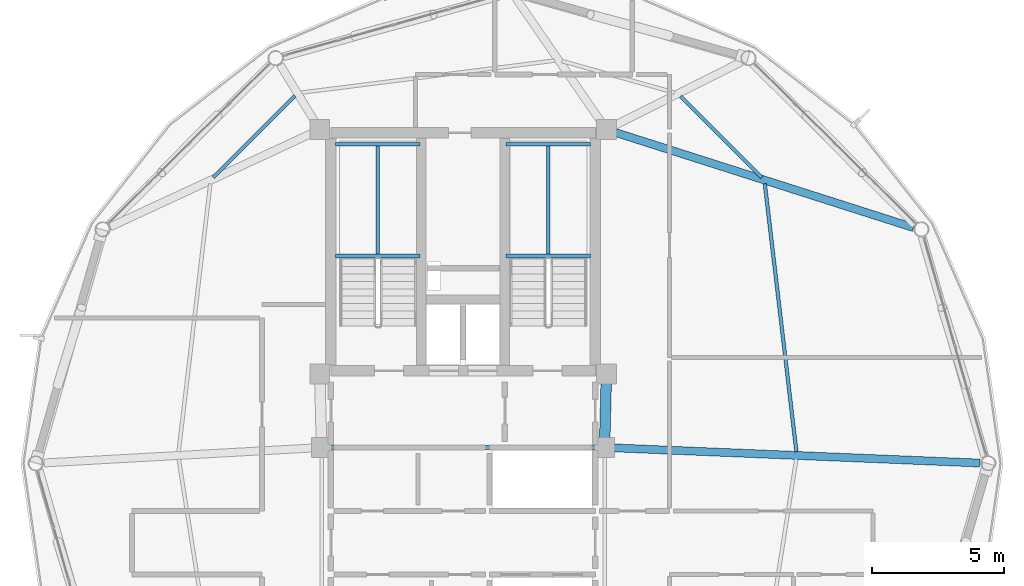
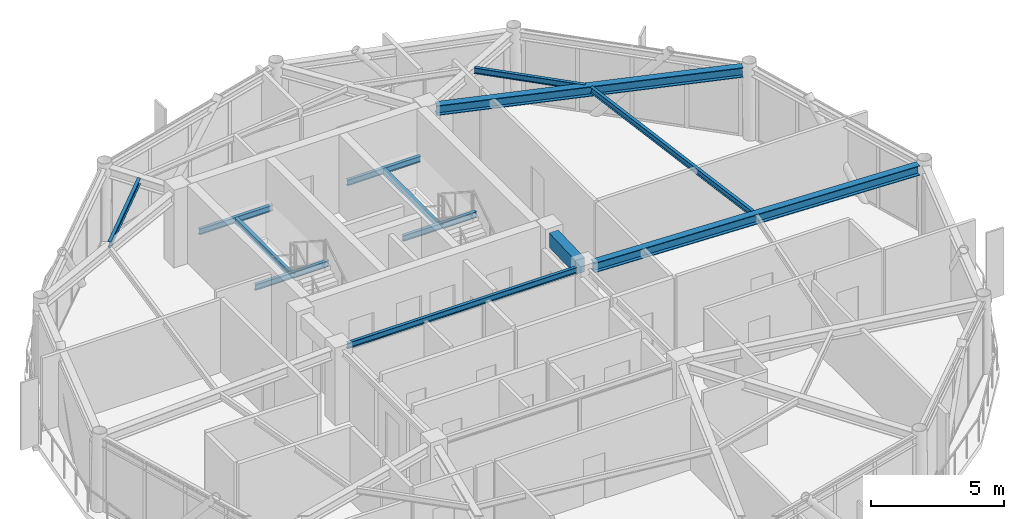
# One storey, part 12 of 24: 13 beams.
"""IFC4 building model written with IfcOpenShell, lengths in metres."""

from ifc_helpers import new_model, si_unit, direction, frame, origin, origin_2d, place, context, subcontext, project, spatial, rectangle, i_section, extrude, material, material_profile, profile_set, type_object, element, save


model = new_model("IFC4")

# Units and contexts
model_context = context("Model", 3, precision=1e-05, world=origin(), true_north=direction((0.0, 1.0)))
body_context = subcontext(model_context, "Body", "Model", "MODEL_VIEW")
ifc_project = project(units=[si_unit("LENGTHUNIT", "METRE"), si_unit("AREAUNIT", "SQUARE_METRE"), si_unit("VOLUMEUNIT", "CUBIC_METRE"), si_unit("PLANEANGLEUNIT", "RADIAN"), si_unit("MASSUNIT", "GRAM", prefix="KILO")], contexts=[model_context])

# Site, building, storey
site_placement = place(None, origin())
site = spatial("IfcSite", under=ifc_project, at=site_placement, CompositionType="ELEMENT")
building_placement = place(site_placement, origin())
building = spatial("IfcBuilding", under=site, at=building_placement, Name="Varnakorn Sky Granary", CompositionType="ELEMENT")
storey_placement = place(building_placement, frame((0.0, 0.0, 274.199951171875)))
storey = spatial("IfcBuildingStorey", under=building, at=storey_placement, Name="L70", CompositionType="ELEMENT", Elevation=274.199951171875)

# Beams
ifc_material_1 = material(Name="Concrete C50/60", Category="concrete")
ifc_material_profile_1 = material_profile(ifc_material_1, rectangle(XDim=0.39990234375, YDim=0.64990234375, at=origin_2d()), Name="RC 400x650")
ifc_profile_set_1 = profile_set([ifc_material_profile_1], Name="Concrete C50/60")
beam_type_1 = type_object("IfcBeamType", Name="BM-LIN-650", PredefinedType="LINTEL", material=ifc_profile_set_1)
beam_1_placement = place(storey_placement, frame((8.4111328125, 3.025146484375, 3.03515625), z_axis=(-0.025227817192, -0.999681727971, 0.0), x_axis=(0.999681727971, -0.025227817192, 0.0)))
element("IfcBeam", 1, at=beam_1_placement, inside=storey, type_object=beam_type_1, Name="Core Spine Framing Beam 2 L70", PredefinedType="LINTEL", context=body_context, shape_type="SweptSolid", body=[
    extrude(rectangle(XDim=0.39990234375, YDim=0.64990234375, at=origin_2d()), origin(), (0.0, 0.0, 1.0), 2.071044921875),
])
ifc_material_2 = material(Name="Steel S355JR", Category="steel")
ifc_material_profile_2 = material_profile(ifc_material_2, i_section(OverallWidth=0.135009765625, OverallDepth=0.27001953125, WebThickness=0.006591796875, FlangeThickness=0.01025390625, at=origin_2d()), Name="IPE 270")
ifc_profile_set_2 = profile_set([ifc_material_profile_2], Name="Steel S355JR")
beam_type_2 = type_object("IfcBeamType", Name="BM-LND-270", PredefinedType="BEAM", material=ifc_profile_set_2)
for number, where, z_axis, x_axis, name in (
    (2, (-1.820068359375, 7.840087890625, 1.465087890625), (1.0, 0.0, 0.0), (0.0, 1.0, 0.0), "Stair ST-1 Landing Trimmer Beam A L70-1"),
    (3, (-1.820068359375, 12.06005859375, 1.465087890625), (1.0, 0.0, 0.0), (0.0, 1.0, 0.0), "Stair ST-1 Landing Trimmer Beam B L70-1"),
):
    element("IfcBeam", number, at=place(storey_placement, frame(where, z_axis=z_axis, x_axis=x_axis)), inside=storey, type_object=beam_type_2, Name=name, PredefinedType="BEAM", context=body_context, shape_type="SweptSolid", body=[
        extrude(i_section(OverallWidth=0.135009765625, OverallDepth=0.27001953125, WebThickness=0.006591796875, FlangeThickness=0.01025390625, at=origin_2d()), origin(), (0.0, 0.0, 1.0), 3.199951171875),
    ])
beam_2_placement = place(storey_placement, frame((-0.219970703125, 7.840087890625, 1.465087890625), z_axis=(0.0, 1.0, 0.0), x_axis=(-1.0, 0.0, 0.0)))
element("IfcBeam", 4, at=beam_2_placement, inside=storey, type_object=beam_type_2, Name="Stair ST-1 Landing Cross Beam C L70-1", PredefinedType="BEAM", context=body_context, shape_type="SweptSolid", body=[
    extrude(i_section(OverallWidth=0.135009765625, OverallDepth=0.27001953125, WebThickness=0.006591796875, FlangeThickness=0.01025390625, at=origin_2d()), origin(), (0.0, 0.0, 1.0), 4.219970703125),
])
for number, where, z_axis, x_axis, name in (
    (5, (4.6201171875, 7.840087890625, 1.465087890625), (1.0, 0.0, 0.0), (0.0, 1.0, 0.0), "Stair ST-2 Landing Trimmer Beam A L70-1"),
    (6, (4.6201171875, 12.06005859375, 1.465087890625), (1.0, 0.0, 0.0), (0.0, 1.0, 0.0), "Stair ST-2 Landing Trimmer Beam B L70-1"),
):
    element("IfcBeam", number, at=place(storey_placement, frame(where, z_axis=z_axis, x_axis=x_axis)), inside=storey, type_object=beam_type_2, Name=name, PredefinedType="BEAM", context=body_context, shape_type="SweptSolid", body=[
        extrude(i_section(OverallWidth=0.135009765625, OverallDepth=0.27001953125, WebThickness=0.006591796875, FlangeThickness=0.01025390625, at=origin_2d()), origin(), (0.0, 0.0, 1.0), 3.199951171875),
    ])
beam_3_placement = place(storey_placement, frame((6.219970703125, 7.840087890625, 1.465087890625), z_axis=(0.0, 1.0, 0.0), x_axis=(-1.0, 0.0, 0.0)))
element("IfcBeam", 7, at=beam_3_placement, inside=storey, type_object=beam_type_2, Name="Stair ST-2 Landing Cross Beam C L70-1", PredefinedType="BEAM", context=body_context, shape_type="SweptSolid", body=[
    extrude(i_section(OverallWidth=0.135009765625, OverallDepth=0.27001953125, WebThickness=0.006591796875, FlangeThickness=0.01025390625, at=origin_2d()), origin(), (0.0, 0.0, 1.0), 4.219970703125),
])
ifc_material_profile_3 = material_profile(ifc_material_2, i_section(OverallWidth=0.300048828125, OverallDepth=0.449951171875, WebThickness=0.013916015625, FlangeThickness=0.02587890625, at=origin_2d()), Name="HE 450 B")
ifc_profile_set_3 = profile_set([ifc_material_profile_3], Name="Steel S355JR")
beam_type_3 = type_object("IfcBeamType", Name="BM-RAD-Z5", PredefinedType="BEAM", material=ifc_profile_set_3)
beam_4_placement = place(storey_placement, frame((8.70458984375, 0.585205078125, 3.135009765625), z_axis=(0.999139691665, -0.041471394243, 0.0), x_axis=(0.041471394243, 0.999139691665, 0.0)))
element("IfcBeam", 8, at=beam_4_placement, inside=storey, type_object=beam_type_3, Name="Radial Floor Girder RG01 L70", PredefinedType="BEAM", context=body_context, shape_type="SweptSolid", body=[
    extrude(i_section(OverallWidth=0.300048828125, OverallDepth=0.449951171875, WebThickness=0.013916015625, FlangeThickness=0.02587890625, at=origin_2d()), origin(), (0.0, 0.0, 1.0), 13.84619140625),
])
beam_5_placement = place(storey_placement, frame((8.75830078125, 12.511962890625, 3.135009765625), z_axis=(0.952630466076, -0.304130227212, 0.0), x_axis=(0.304130227212, 0.952630466076, 0.0)))
element("IfcBeam", 9, at=beam_5_placement, inside=storey, type_object=beam_type_3, Name="Radial Floor Girder RG02 L70", PredefinedType="BEAM", context=body_context, shape_type="SweptSolid", body=[
    extrude(i_section(OverallWidth=0.300048828125, OverallDepth=0.449951171875, WebThickness=0.013916015625, FlangeThickness=0.02587890625, at=origin_2d()), origin(), (0.0, 0.0, 1.0), 11.8310546875),
])
ifc_material_profile_4 = material_profile(ifc_material_2, i_section(OverallWidth=0.135009765625, OverallDepth=0.27001953125, WebThickness=0.006591796875, FlangeThickness=0.01025390625, at=origin_2d()), Name="IPE 270")
ifc_profile_set_4 = profile_set([ifc_material_profile_4], Name="Steel S355JR")
beam_type_4 = type_object("IfcBeamType", Name="BM-SEC-Z5", PredefinedType="BEAM", material=ifc_profile_set_4)
beam_6_placement = place(storey_placement, frame((15.605224609375, 0.437255859375, 3.22509765625), z_axis=(-0.117107700018, 0.993119220737, 0.0), x_axis=(-0.993119220737, -0.117107700018, 0.0)))
element("IfcBeam", 10, at=beam_6_placement, inside=storey, type_object=beam_type_4, Name="Secondary Floor Chord Beam MSB01 L70", PredefinedType="BEAM", context=body_context, shape_type="SweptSolid", body=[
    extrude(i_section(OverallWidth=0.135009765625, OverallDepth=0.27001953125, WebThickness=0.006591796875, FlangeThickness=0.01025390625, at=origin_2d()), origin(), (0.0, 0.0, 1.0), 10.20703125),
])
beam_7_placement = place(storey_placement, frame((14.294677734375, 10.81201171875, 3.22509765625), z_axis=(-0.706684569182, 0.70752874124, 0.0), x_axis=(-0.70752874124, -0.706684569182, 0.0)))
element("IfcBeam", 11, at=beam_7_placement, inside=storey, type_object=beam_type_4, Name="Secondary Floor Chord Beam MSB02 L70", PredefinedType="BEAM", context=body_context, shape_type="SweptSolid", body=[
    extrude(i_section(OverallWidth=0.135009765625, OverallDepth=0.27001953125, WebThickness=0.006591796875, FlangeThickness=0.01025390625, at=origin_2d()), origin(), (0.0, 0.0, 1.0), 4.338134765625),
])
beam_8_placement = place(storey_placement, frame((-3.36181640625, 13.8994140625, 3.22509765625), z_axis=(-0.705763220355, -0.70844779398, 0.0), x_axis=(0.70844779398, -0.705763220355, 0.0)))
element("IfcBeam", 12, at=beam_8_placement, inside=storey, type_object=beam_type_4, Name="Secondary Floor Chord Beam MSB05 L70", PredefinedType="BEAM", context=body_context, shape_type="SweptSolid", body=[
    extrude(i_section(OverallWidth=0.135009765625, OverallDepth=0.27001953125, WebThickness=0.006591796875, FlangeThickness=0.01025390625, at=origin_2d()), origin(), (0.0, 0.0, 1.0), 4.365234375),
])
beam_9_placement = place(storey_placement, frame((-1.9951171875, 0.60009765625, 3.22509765625), z_axis=(1.0, 0.0, 0.0), x_axis=(0.0, 1.0, 0.0)))
element("IfcBeam", 13, at=beam_9_placement, inside=storey, type_object=beam_type_4, Name="Core Spine Framing Beam 5 L70", PredefinedType="BEAM", context=body_context, shape_type="SweptSolid", body=[
    extrude(i_section(OverallWidth=0.135009765625, OverallDepth=0.27001953125, WebThickness=0.006591796875, FlangeThickness=0.01025390625, at=origin_2d()), origin(), (0.0, 0.0, 1.0), 9.990234375),
])

save(model, "model.ifc")
